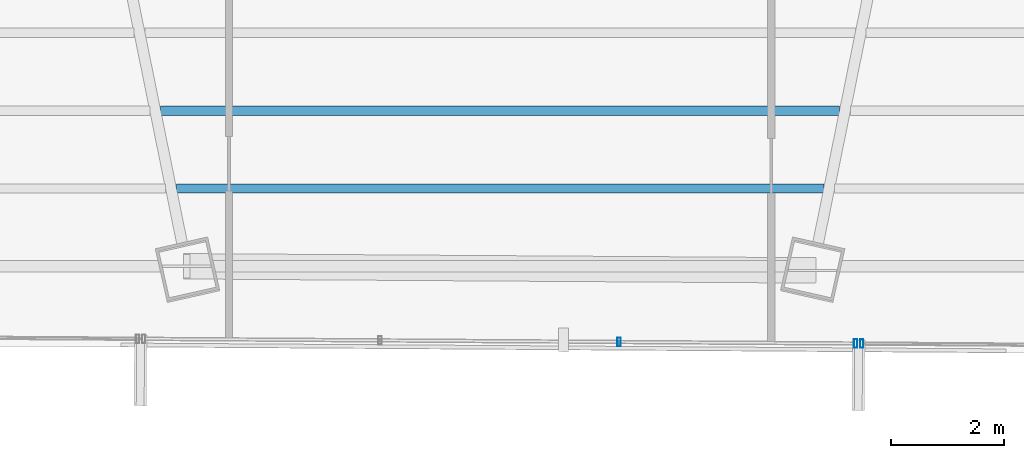
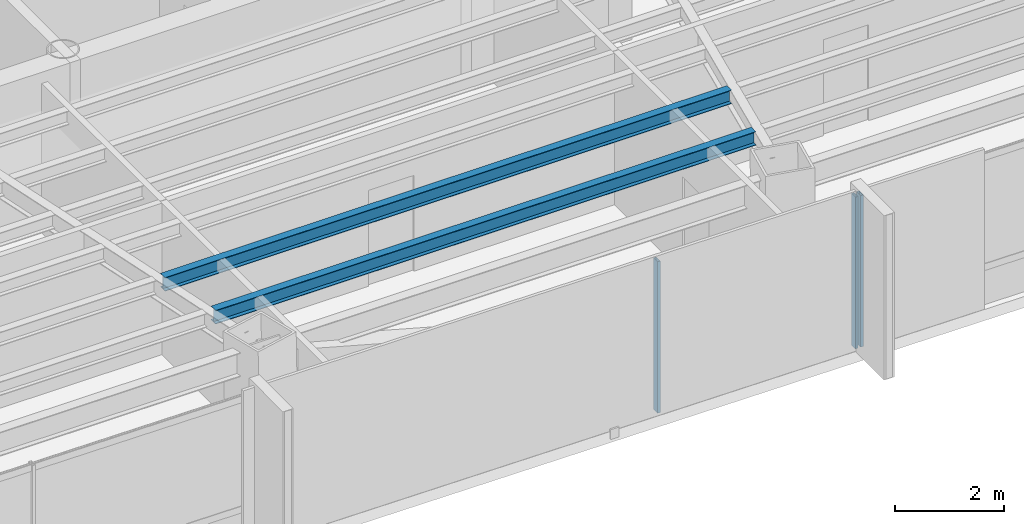
# One storey, part 10 of 41: 3 members, 2 beams, 2 elements without a shape of their own.
"""IFC4 building model written with IfcOpenShell, lengths in metres."""

from ifc_helpers import new_model, si_unit, direction, frame, origin, origin_2d, place, context, subcontext, project, spatial, hollow_rectangle, i_section, extrude, source, transform, mapped, material, material_profile, profile_set, type_object, type_shapes, element, aggregate, save


model = new_model("IFC4")

# Units and contexts
model_context = context("Model", 3, precision=1e-05, world=origin(), true_north=direction((0.0, 1.0)))
body_context = subcontext(model_context, "Body", "Model", "MODEL_VIEW")
ifc_project = project(units=[si_unit("LENGTHUNIT", "METRE"), si_unit("AREAUNIT", "SQUARE_METRE"), si_unit("VOLUMEUNIT", "CUBIC_METRE"), si_unit("PLANEANGLEUNIT", "RADIAN"), si_unit("MASSUNIT", "GRAM", prefix="KILO")], contexts=[model_context])

# Site, building, storey
site_placement = place(None, origin())
site = spatial("IfcSite", under=ifc_project, at=site_placement, CompositionType="ELEMENT")
building_placement = place(site_placement, origin())
building = spatial("IfcBuilding", under=site, at=building_placement, Name="Caelisora Broadcast Tower", CompositionType="ELEMENT")
storey_placement = place(building_placement, frame((0.0, 0.0, 173.10009765625)))
storey = spatial("IfcBuildingStorey", under=building, at=storey_placement, Name="L45", CompositionType="ELEMENT", Elevation=173.10009765625)

# Beams
ifc_material_1 = material(Name="Steel Grade 350 (AS/NZS 3679.1)", Category="steel")
ifc_material_profile_1 = material_profile(ifc_material_1, i_section(OverallWidth=0.166015625, OverallDepth=0.30712890625, WebThickness=0.006591796875, FlangeThickness=0.01171875, at=origin_2d()), Name="Steel Grade 350 (AS/NZS 3679.1)")
ifc_profile_set_1 = profile_set([ifc_material_profile_1], Name="Steel Grade 350 (AS/NZS 3679.1)")
beam_type = type_object("IfcBeamType", Name="SB03", PredefinedType="JOIST", material=ifc_profile_set_1)
shared_shape_1 = source(origin(), body_context, "Body", "SweptSolid", [
    extrude(i_section(OverallWidth=0.166015625, OverallDepth=0.30712890625, WebThickness=0.006591796875, FlangeThickness=0.01171875, at=origin_2d()), origin(), (0.0, 0.0, 1.0), 12.02099609375),
])
beam_1_placement = place(storey_placement, frame((31.989501953125, 10.51025390625, 3.246337890625), z_axis=(1.0, 0.0, 0.0), x_axis=(0.0, 1.0, 0.0)))
element("IfcBeam", 1, at=beam_1_placement, inside=storey, type_object=beam_type, Name="L45 beam SB03", PredefinedType="JOIST", context=body_context, shape_type="MappedRepresentation", body=[
    mapped(shared_shape_1, transform((0.0, 0.0, 0.0), scale=1.0)),
])
shared_shape_2 = source(origin(), body_context, "Body", "SweptSolid", [
    extrude(i_section(OverallWidth=0.166015625, OverallDepth=0.30712890625, WebThickness=0.006591796875, FlangeThickness=0.01171875, at=origin_2d()), origin(), (0.0, 0.0, 1.0), 11.46337890625),
])
type_shapes(beam_type, [shared_shape_1, shared_shape_2])
beam_2_placement = place(storey_placement, frame((32.268310546875, 9.13232421875, 3.246337890625), z_axis=(1.0, 0.0, 0.0), x_axis=(0.0, 1.0, 0.0)))
element("IfcBeam", 2, at=beam_2_placement, inside=storey, type_object=beam_type, Name="L45 beam SB03", PredefinedType="JOIST", context=body_context, shape_type="MappedRepresentation", body=[
    mapped(shared_shape_2, transform((0.0, 0.0, 0.0), scale=1.0)),
])

# Curtain wall, member
ifc_material_2 = material(Name="Unitised Aluminium and Low-E Glass Curtain Wall", Category="glass")
curtain_wall_type_1 = type_object("IfcCurtainWallType", Name="CW-Z3", PredefinedType="NOTDEFINED", material=ifc_material_2)
curtain_wall_1_placement = place(storey_placement, origin())
curtain_wall_1 = element("IfcCurtainWall", 3, at=curtain_wall_1_placement, inside=storey, type_object=curtain_wall_type_1, Name="L45 curtain wall CW-Z3", PredefinedType="NOTDEFINED")
ifc_material_3 = material(Name="Aluminium 6063-T6 Anodised Terracotta Bronze", Category="aluminium")
ifc_material_profile_2 = material_profile(ifc_material_3, hollow_rectangle(XDim=0.06005859375, YDim=0.14990234375, WallThickness=0.00341796875, at=origin_2d()), Name="Aluminium 6063-T6 Anodised Terracotta Bronze")
ifc_profile_set_2 = profile_set([ifc_material_profile_2], Name="Aluminium 6063-T6 Anodised Terracotta Bronze")
member_type = type_object("IfcMemberType", Name="CWM-03", PredefinedType="MULLION", material=ifc_profile_set_2)
shared_shape_3 = source(origin(), body_context, "Body", "SweptSolid", [
    extrude(hollow_rectangle(XDim=0.06005859375, YDim=0.14990234375, WallThickness=0.00341796875, at=origin_2d()), origin(), (0.0, 0.0, 1.0), 3.39990234375),
])
type_shapes(member_type, [shared_shape_3])
member_1_placement = place(storey_placement, frame((44.402099609375, 6.386474609375, 0.0), z_axis=(0.0, 0.0, 1.0), x_axis=(1.0, 0.0, 0.0)))
member_1 = element("IfcMember", 4, at=member_1_placement, type_object=member_type, Name="L45-CW-B05 mullion #3", PredefinedType="MULLION", context=body_context, shape_type="MappedRepresentation", body=[
    mapped(shared_shape_3, transform((0.0, 0.0, 0.0), scale=1.0)),
])
aggregate(curtain_wall_1, [member_1])

# Curtain wall, members
ifc_material_4 = material(Name="Unitised Aluminium Insulated Shadow-Box Spandrel Curtain Wall", Category="aluminium")
curtain_wall_type_2 = type_object("IfcCurtainWallType", Name="CW-SP2", PredefinedType="NOTDEFINED", material=ifc_material_4)
curtain_wall_2_placement = place(storey_placement, origin())
curtain_wall_2 = element("IfcCurtainWall", 5, at=curtain_wall_2_placement, inside=storey, type_object=curtain_wall_type_2, Name="L45 curtain wall CW-SP2", PredefinedType="NOTDEFINED")
member_2_placement = place(storey_placement, frame((44.2919921875, 6.38720703125, 0.0), z_axis=(0.0, 0.0, 1.0), x_axis=(1.0, 0.0, 0.0)))
member_2 = element("IfcMember", 6, at=member_2_placement, type_object=member_type, Name="L45-CW-B06 mullion #0", PredefinedType="MULLION", context=body_context, shape_type="MappedRepresentation", body=[
    mapped(shared_shape_3, transform((0.0, 0.0, 0.0), scale=1.0)),
])
member_3_placement = place(storey_placement, frame((40.1083984375, 6.4150390625, 0.0), z_axis=(0.0, 0.0, 1.0), x_axis=(1.0, 0.0, 0.0)))
member_3 = element("IfcMember", 7, at=member_3_placement, type_object=member_type, Name="L45-CW-B06 mullion #1", PredefinedType="MULLION", context=body_context, shape_type="MappedRepresentation", body=[
    mapped(shared_shape_3, transform((0.0, 0.0, 0.0), scale=1.0)),
])
aggregate(curtain_wall_2, [member_2, member_3])

save(model, "model.ifc")
